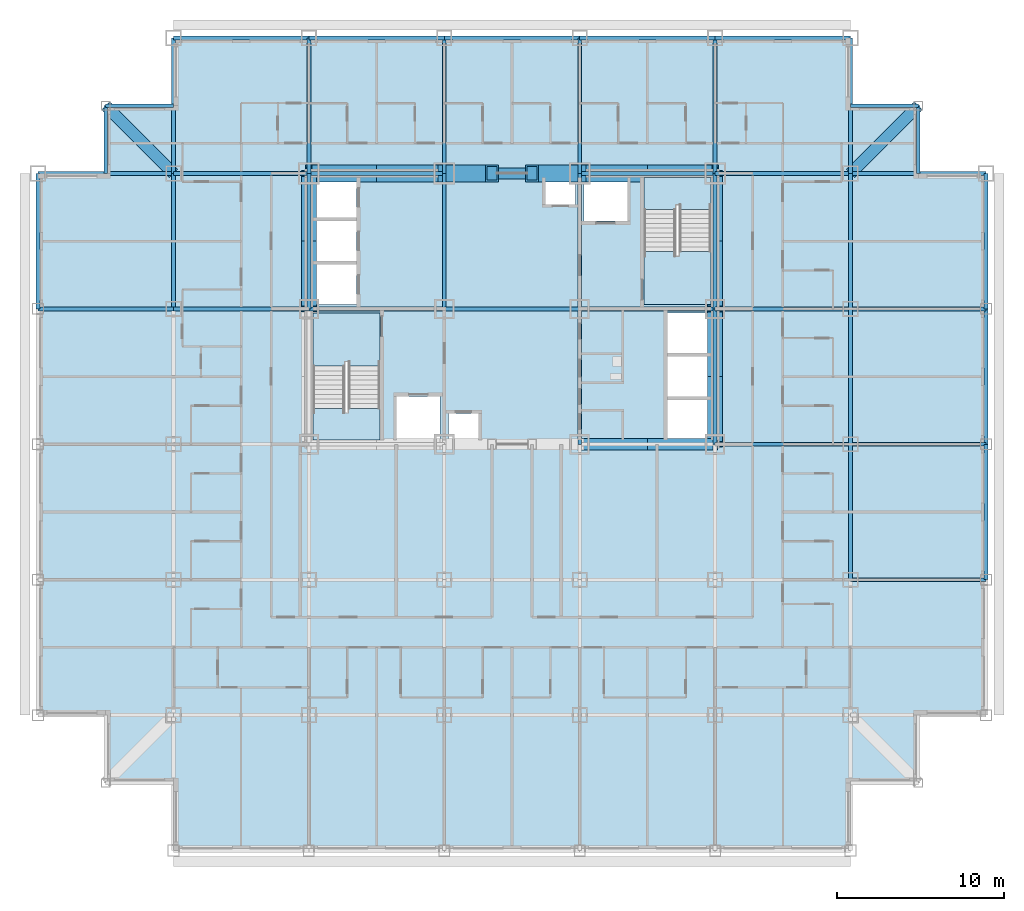
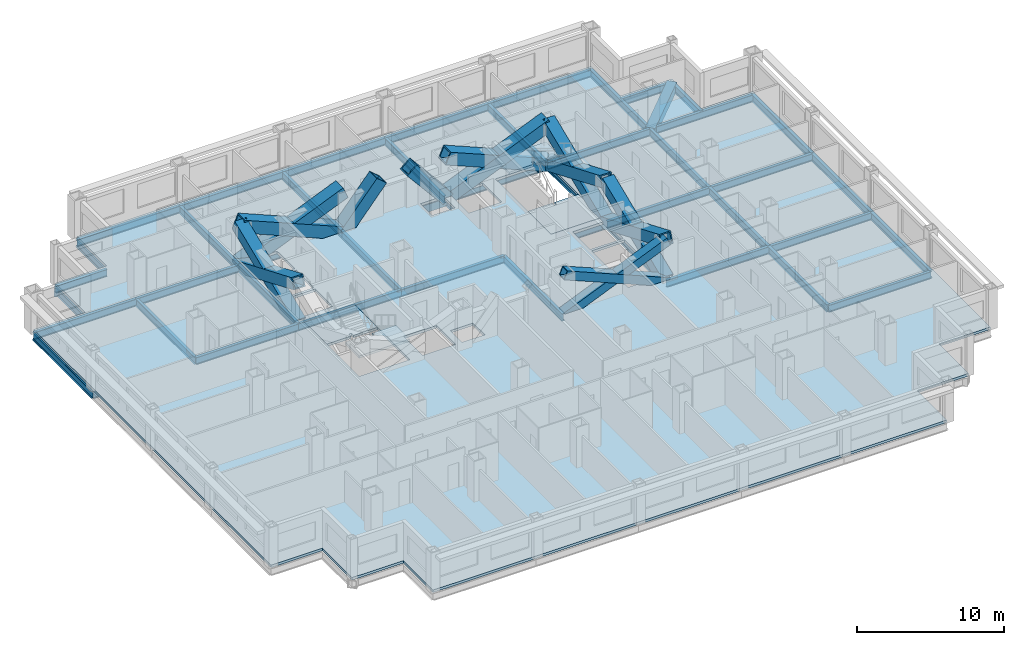
# One storey, part 2 of 12: 48 beams, 14 members, 5 slabs, 2 elements without a shape of their own.
"""IFC4 building model written with IfcOpenShell, lengths in metres."""

from ifc_helpers import new_model, si_unit, direction, frame, origin, origin_2d, place, context, subcontext, project, spatial, polyline, hollow_rectangle, i_section, outline, extrude, material, layer, layer_set, material_profile, profile_set, type_object, element, aggregate, save


model = new_model("IFC4")

# Units and contexts
model_context = context("Model", 3, precision=1e-05, world=origin(), true_north=direction((0.0, 1.0)))
body_context = subcontext(model_context, "Body", "Model", "MODEL_VIEW")
ifc_project = project(units=[si_unit("LENGTHUNIT", "METRE"), si_unit("AREAUNIT", "SQUARE_METRE"), si_unit("VOLUMEUNIT", "CUBIC_METRE"), si_unit("PLANEANGLEUNIT", "RADIAN"), si_unit("MASSUNIT", "GRAM", prefix="KILO")], contexts=[model_context])

# Site, building, storey
site_placement = place(None, origin())
site = spatial("IfcSite", under=ifc_project, at=site_placement, CompositionType="ELEMENT")
building_placement = place(site_placement, origin())
building = spatial("IfcBuilding", under=site, at=building_placement, Name="Kopane Lantern Tower", CompositionType="ELEMENT")
storey_placement = place(building_placement, frame((0.0, 0.0, 53.39990234375)))
storey = spatial("IfcBuildingStorey", under=building, at=storey_placement, Name="L12", CompositionType="ELEMENT", Elevation=53.39990234375)

# Members
ifc_material_1 = material(Name="Steel S355JR", Category="steel")
ifc_material_profile_1 = material_profile(ifc_material_1, hollow_rectangle(XDim=1.0, YDim=1.0, WallThickness=0.10009765625, at=origin_2d()), Name="BOX 1000x1000x100")
ifc_profile_set_1 = profile_set([ifc_material_profile_1], Name="Steel S355JR")
member_type_1 = type_object("IfcMemberType", Name="BRACE BOX 1000x1000x100", PredefinedType="BRACE", material=ifc_profile_set_1)
for number, where, z_axis, x_axis, name in (
    (1, (16.199951171875, 40.5, -0.2099609375), (0.92205908274, 0.0, 0.387049154419), (0.0, 1.0, 0.0), "Core brace L12"),
    (2, (24.300048828125, 40.5, -0.2099609375), (-0.92205908274, 0.0, 0.387049154419), (0.0, -1.0, 0.0), "Core brace L12"),
):
    element("IfcMember", number, at=place(storey_placement, frame(where, z_axis=z_axis, x_axis=x_axis)), inside=storey, type_object=member_type_1, Name=name, PredefinedType="BRACE", context=body_context, shape_type="SweptSolid", body=[
        extrude(hollow_rectangle(XDim=1.0, YDim=1.0, WallThickness=0.10009765625, at=origin_2d()), origin(), (0.0, 0.0, 1.0), 8.784912109375),
    ])
for number, where, z_axis, x_axis, name in (
    (3, (24.300048828125, 40.5, -0.2099609375), (0.642363165114, 0.0, 0.766400394118), (0.0, 1.0, 0.0), "Core brace L12"),
    (4, (32.39990234375, 40.5, -0.2099609375), (-0.642363165114, 0.0, 0.766400394118), (0.0, -1.0, 0.0), "Core brace L12"),
):
    element("IfcMember", number, at=place(storey_placement, frame(where, z_axis=z_axis, x_axis=x_axis)), inside=storey, type_object=member_type_1, Name=name, PredefinedType="BRACE", context=body_context, shape_type="SweptSolid", body=[
        extrude(hollow_rectangle(XDim=1.0, YDim=1.0, WallThickness=0.10009765625, at=origin_2d()), origin(), (0.0, 0.0, 1.0), 4.4365234375),
    ])
for number, where, z_axis, x_axis, name in (
    (5, (32.39990234375, 40.5, -0.2099609375), (0.92205908274, 0.0, 0.387049154419), (0.0, 1.0, 0.0), "Core brace L12"),
    (6, (40.5, 40.5, -0.2099609375), (-0.92205908274, 0.0, 0.387049154419), (0.0, -1.0, 0.0), "Core brace L12"),
):
    element("IfcMember", number, at=place(storey_placement, frame(where, z_axis=z_axis, x_axis=x_axis)), inside=storey, type_object=member_type_1, Name=name, PredefinedType="BRACE", context=body_context, shape_type="SweptSolid", body=[
        extrude(hollow_rectangle(XDim=1.0, YDim=1.0, WallThickness=0.10009765625, at=origin_2d()), origin(), (0.0, 0.0, 1.0), 8.784912109375),
    ])
ifc_material_2 = material(Name="Steel S355JR", Category="steel")
ifc_material_profile_2 = material_profile(ifc_material_2, hollow_rectangle(XDim=0.699951171875, YDim=0.699951171875, WallThickness=0.06005859375, at=origin_2d()), Name="BOX 700x700x60")
ifc_profile_set_2 = profile_set([ifc_material_profile_2], Name="Steel S355JR")
member_type_2 = type_object("IfcMemberType", Name="BRACE BOX 700x700x60", PredefinedType="BRACE", material=ifc_profile_set_2)
for number, where, z_axis, x_axis, name in (
    (7, (32.39990234375, 24.300048828125, -0.2099609375), (0.92205908274, 0.0, 0.387049154419), (0.0, 1.0, 0.0), "Core brace L12"),
    (8, (40.5, 24.300048828125, -0.2099609375), (-0.92205908274, 0.0, 0.387049154419), (0.0, -1.0, 0.0), "Core brace L12"),
):
    element("IfcMember", number, at=place(storey_placement, frame(where, z_axis=z_axis, x_axis=x_axis)), inside=storey, type_object=member_type_2, Name=name, PredefinedType="BRACE", context=body_context, shape_type="SweptSolid", body=[
        extrude(hollow_rectangle(XDim=0.699951171875, YDim=0.699951171875, WallThickness=0.06005859375, at=origin_2d()), origin(), (0.0, 0.0, 1.0), 8.784912109375),
    ])
ifc_material_3 = material(Name="Steel S355JR", Category="steel")
ifc_material_profile_3 = material_profile(ifc_material_3, hollow_rectangle(XDim=0.89990234375, YDim=0.89990234375, WallThickness=0.090087890625, at=origin_2d()), Name="BOX 900x900x90")
ifc_profile_set_3 = profile_set([ifc_material_profile_3], Name="Steel S355JR")
member_type_3 = type_object("IfcMemberType", Name="BRACE BOX 900x900x90", PredefinedType="BRACE", material=ifc_profile_set_3)
for number, where, z_axis, x_axis, name in (
    (9, (16.199951171875, 32.39990234375, -0.2099609375), (0.0, 0.92205908274, 0.387049154419), (-1.0, 0.0, 0.0), "Core brace L12"),
    (10, (16.199951171875, 40.5, -0.2099609375), (0.0, -0.92205908274, 0.387049154419), (1.0, 0.0, 0.0), "Core brace L12"),
):
    element("IfcMember", number, at=place(storey_placement, frame(where, z_axis=z_axis, x_axis=x_axis)), inside=storey, type_object=member_type_3, Name=name, PredefinedType="BRACE", context=body_context, shape_type="SweptSolid", body=[
        extrude(hollow_rectangle(XDim=0.89990234375, YDim=0.89990234375, WallThickness=0.090087890625, at=origin_2d()), origin(), (0.0, 0.0, 1.0), 8.784912109375),
    ])
for number, where, z_axis, x_axis, name in (
    (11, (40.5, 24.300048828125, -0.2099609375), (0.0, 0.92205491925, 0.387059072864), (-1.0, 0.0, 0.0), "Core brace L12"),
    (12, (40.5, 32.39990234375, -0.2099609375), (0.0, -0.92205491925, 0.387059072864), (1.0, 0.0, 0.0), "Core brace L12"),
):
    element("IfcMember", number, at=place(storey_placement, frame(where, z_axis=z_axis, x_axis=x_axis)), inside=storey, type_object=member_type_3, Name=name, PredefinedType="BRACE", context=body_context, shape_type="SweptSolid", body=[
        extrude(hollow_rectangle(XDim=0.89990234375, YDim=0.89990234375, WallThickness=0.090087890625, at=origin_2d()), origin(), (0.0, 0.0, 1.0), 8.78466796875),
    ])
for number, where, z_axis, x_axis, name in (
    (13, (40.5, 32.39990234375, -0.2099609375), (0.0, 0.92205908274, 0.387049154419), (-1.0, 0.0, 0.0), "Core brace L12"),
    (14, (40.5, 40.5, -0.2099609375), (0.0, -0.92205908274, 0.387049154419), (1.0, 0.0, 0.0), "Core brace L12"),
):
    element("IfcMember", number, at=place(storey_placement, frame(where, z_axis=z_axis, x_axis=x_axis)), inside=storey, type_object=member_type_3, Name=name, PredefinedType="BRACE", context=body_context, shape_type="SweptSolid", body=[
        extrude(hollow_rectangle(XDim=0.89990234375, YDim=0.89990234375, WallThickness=0.090087890625, at=origin_2d()), origin(), (0.0, 0.0, 1.0), 8.784912109375),
    ])

# Beams
ifc_material_4 = material(Name="Steel S355JR", Category="steel")
ifc_material_profile_4 = material_profile(ifc_material_4, i_section(OverallWidth=0.22900390625, OverallDepth=0.6123046875, WebThickness=0.011962890625, FlangeThickness=0.01953125, FilletRadius=0.0126953125, at=origin_2d()), Name="UB 610x229x125")
ifc_profile_set_4 = profile_set([ifc_material_profile_4], Name="Steel S355JR")
beam_type_1 = type_object("IfcBeamType", Name="CORE BEAM UB 610x229x125", PredefinedType="BEAM", material=ifc_profile_set_4)
for number, where, z_axis, x_axis, name in (
    (15, (16.199951171875, 32.39990234375, -0.51611328125), (1.0, 0.0, 0.0), (0.0, 1.0, 0.0), "Core Beam L12"),
    (16, (24.300048828125, 32.39990234375, -0.51611328125), (0.0, 1.0, 0.0), (-1.0, 0.0, 0.0), "Core Beam L12"),
):
    element("IfcBeam", number, at=place(storey_placement, frame(where, z_axis=z_axis, x_axis=x_axis)), inside=storey, type_object=beam_type_1, Name=name, PredefinedType="BEAM", context=body_context, shape_type="SweptSolid", body=[
        extrude(i_section(OverallWidth=0.22900390625, OverallDepth=0.6123046875, WebThickness=0.011962890625, FlangeThickness=0.01953125, FilletRadius=0.0126953125, at=origin_2d()), origin(), (0.0, 0.0, 1.0), 8.10009765625),
    ])
for number, where, z_axis, x_axis, name in (
    (17, (24.300048828125, 32.39990234375, -0.51611328125), (1.0, 0.0, 0.0), (0.0, 1.0, 0.0), "Core Beam L12"),
    (18, (32.39990234375, 24.300048828125, -0.51611328125), (0.0, 1.0, 0.0), (-1.0, 0.0, 0.0), "Core Beam L12"),
):
    element("IfcBeam", number, at=place(storey_placement, frame(where, z_axis=z_axis, x_axis=x_axis)), inside=storey, type_object=beam_type_1, Name=name, PredefinedType="BEAM", context=body_context, shape_type="SweptSolid", body=[
        extrude(i_section(OverallWidth=0.22900390625, OverallDepth=0.6123046875, WebThickness=0.011962890625, FlangeThickness=0.01953125, FilletRadius=0.0126953125, at=origin_2d()), origin(), (0.0, 0.0, 1.0), 8.099853515625),
    ])
for number, where, z_axis, x_axis, name in (
    (19, (32.39990234375, 32.39990234375, -0.51611328125), (0.0, 1.0, 0.0), (-1.0, 0.0, 0.0), "Core Beam L12"),
    (20, (32.39990234375, 32.39990234375, -0.51611328125), (1.0, 0.0, 0.0), (0.0, 1.0, 0.0), "Core Beam L12"),
):
    element("IfcBeam", number, at=place(storey_placement, frame(where, z_axis=z_axis, x_axis=x_axis)), inside=storey, type_object=beam_type_1, Name=name, PredefinedType="BEAM", context=body_context, shape_type="SweptSolid", body=[
        extrude(i_section(OverallWidth=0.22900390625, OverallDepth=0.6123046875, WebThickness=0.011962890625, FlangeThickness=0.01953125, FilletRadius=0.0126953125, at=origin_2d()), origin(), (0.0, 0.0, 1.0), 8.10009765625),
    ])
ifc_material_5 = material(Name="Steel S355JR", Category="steel")
ifc_material_profile_5 = material_profile(ifc_material_5, hollow_rectangle(XDim=0.699951171875, YDim=0.699951171875, WallThickness=0.06005859375, at=origin_2d()), Name="BOX 700x700x60")
ifc_profile_set_5 = profile_set([ifc_material_profile_5], Name="Steel S355JR")
beam_type_2 = type_object("IfcBeamType", Name="CORNER TIE BEAM BOX 700x700x60", PredefinedType="BEAM", material=ifc_profile_set_5)
for number, where, z_axis, x_axis, name in (
    (21, (4.050048828125, 44.550048828125, -0.559814453125), (0.707106781187, -0.707106781187, 0.0), (0.707106781187, 0.707106781187, 0.0), "Corner Tie Beam L12"),
    (22, (52.64990234375, 44.550048828125, -0.559814453125), (-0.707085467703, -0.707128094028, 0.0), (0.707128094028, -0.707085467703, 0.0), "Corner Tie Beam L12"),
):
    element("IfcBeam", number, at=place(storey_placement, frame(where, z_axis=z_axis, x_axis=x_axis)), inside=storey, type_object=beam_type_2, Name=name, PredefinedType="BEAM", context=body_context, shape_type="SweptSolid", body=[
        extrude(hollow_rectangle(XDim=0.699951171875, YDim=0.699951171875, WallThickness=0.06005859375, at=origin_2d()), origin(), (0.0, 0.0, 1.0), 5.7275390625),
    ])
ifc_material_6 = material(Name="Steel S355JR", Category="steel")
ifc_material_profile_6 = material_profile(ifc_material_6, i_section(OverallWidth=0.22900390625, OverallDepth=0.6123046875, WebThickness=0.011962890625, FlangeThickness=0.01953125, FilletRadius=0.0126953125, at=origin_2d()), Name="UB 610x229x125")
ifc_profile_set_6 = profile_set([ifc_material_profile_6], Name="Steel S355JR")
beam_type_3 = type_object("IfcBeamType", Name="EDGE BEAM UB 610x229x125", PredefinedType="BEAM", material=ifc_profile_set_6)
for number, where, z_axis, x_axis, name in (
    (23, (4.050048828125, 44.550048828125, -0.51611328125), (0.0, -1.0, 0.0), (1.0, 0.0, 0.0), "Edge Beam L12"),
    (24, (4.050048828125, 44.550048828125, -0.51611328125), (1.0, 0.0, 0.0), (0.0, 1.0, 0.0), "Edge Beam L12"),
):
    element("IfcBeam", number, at=place(storey_placement, frame(where, z_axis=z_axis, x_axis=x_axis)), inside=storey, type_object=beam_type_3, Name=name, PredefinedType="BEAM", context=body_context, shape_type="SweptSolid", body=[
        extrude(i_section(OverallWidth=0.22900390625, OverallDepth=0.6123046875, WebThickness=0.011962890625, FlangeThickness=0.01953125, FilletRadius=0.0126953125, at=origin_2d()), origin(), (0.0, 0.0, 1.0), 4.050048828125),
    ])
beam_1_placement = place(storey_placement, frame((52.64990234375, 44.550048828125, -0.51611328125), z_axis=(-1.0, 0.0, 0.0), x_axis=(0.0, -1.0, 0.0)))
element("IfcBeam", 25, at=beam_1_placement, inside=storey, type_object=beam_type_3, Name="Edge Beam L12", PredefinedType="BEAM", context=body_context, shape_type="SweptSolid", body=[
    extrude(i_section(OverallWidth=0.22900390625, OverallDepth=0.6123046875, WebThickness=0.011962890625, FlangeThickness=0.01953125, FilletRadius=0.0126953125, at=origin_2d()), origin(), (0.0, 0.0, 1.0), 4.0498046875),
])
beam_2_placement = place(storey_placement, frame((52.64990234375, 44.550048828125, -0.51611328125), z_axis=(0.0, -1.0, 0.0), x_axis=(1.0, 0.0, 0.0)))
element("IfcBeam", 26, at=beam_2_placement, inside=storey, type_object=beam_type_3, Name="Edge Beam L12", PredefinedType="BEAM", context=body_context, shape_type="SweptSolid", body=[
    extrude(i_section(OverallWidth=0.22900390625, OverallDepth=0.6123046875, WebThickness=0.011962890625, FlangeThickness=0.01953125, FilletRadius=0.0126953125, at=origin_2d()), origin(), (0.0, 0.0, 1.0), 4.050048828125),
])
ifc_material_7 = material(Name="Steel S355JR", Category="steel")
ifc_material_profile_7 = material_profile(ifc_material_7, i_section(OverallWidth=0.22900390625, OverallDepth=0.6123046875, WebThickness=0.011962890625, FlangeThickness=0.01953125, FilletRadius=0.0126953125, at=origin_2d()), Name="UB 610x229x125")
ifc_profile_set_7 = profile_set([ifc_material_profile_7], Name="Steel S355JR")
beam_type_4 = type_object("IfcBeamType", Name="GIRDER UB 610x229x125", PredefinedType="BEAM", material=ifc_profile_set_7)
for number, where, z_axis, x_axis, name in (
    (27, (0.0, 32.39990234375, -0.51611328125), (0.0, 1.0, 0.0), (-1.0, 0.0, 0.0), "Girder L12"),
    (28, (0.0, 32.39990234375, -0.51611328125), (1.0, 0.0, 0.0), (0.0, 1.0, 0.0), "Girder L12"),
    (29, (0.0, 40.5, -0.51611328125), (1.0, 0.0, 0.0), (0.0, 1.0, 0.0), "Girder L12"),
    (30, (8.10009765625, 32.39990234375, -0.51611328125), (0.0, 1.0, 0.0), (-1.0, 0.0, 0.0), "Girder L12"),
):
    element("IfcBeam", number, at=place(storey_placement, frame(where, z_axis=z_axis, x_axis=x_axis)), inside=storey, type_object=beam_type_4, Name=name, PredefinedType="BEAM", context=body_context, shape_type="SweptSolid", body=[
        extrude(i_section(OverallWidth=0.22900390625, OverallDepth=0.6123046875, WebThickness=0.011962890625, FlangeThickness=0.01953125, FilletRadius=0.0126953125, at=origin_2d()), origin(), (0.0, 0.0, 1.0), 8.10009765625),
    ])
beam_3_placement = place(storey_placement, frame((8.10009765625, 32.39990234375, -0.51611328125), z_axis=(1.0, 0.0, 0.0), x_axis=(0.0, 1.0, 0.0)))
element("IfcBeam", 31, at=beam_3_placement, inside=storey, type_object=beam_type_4, Name="Girder L12", PredefinedType="BEAM", context=body_context, shape_type="SweptSolid", body=[
    extrude(i_section(OverallWidth=0.22900390625, OverallDepth=0.6123046875, WebThickness=0.011962890625, FlangeThickness=0.01953125, FilletRadius=0.0126953125, at=origin_2d()), origin(), (0.0, 0.0, 1.0), 8.099853515625),
])
beam_4_placement = place(storey_placement, frame((8.10009765625, 40.5, -0.51611328125), z_axis=(0.0, 1.0, 0.0), x_axis=(-1.0, 0.0, 0.0)))
element("IfcBeam", 32, at=beam_4_placement, inside=storey, type_object=beam_type_4, Name="Girder L12", PredefinedType="BEAM", context=body_context, shape_type="SweptSolid", body=[
    extrude(i_section(OverallWidth=0.22900390625, OverallDepth=0.6123046875, WebThickness=0.011962890625, FlangeThickness=0.01953125, FilletRadius=0.0126953125, at=origin_2d()), origin(), (0.0, 0.0, 1.0), 8.10009765625),
])
for number, where, z_axis, x_axis, name in (
    (33, (8.10009765625, 40.5, -0.51611328125), (1.0, 0.0, 0.0), (0.0, 1.0, 0.0), "Girder L12"),
    (34, (8.10009765625, 48.60009765625, -0.51611328125), (1.0, 0.0, 0.0), (0.0, 1.0, 0.0), "Girder L12"),
):
    element("IfcBeam", number, at=place(storey_placement, frame(where, z_axis=z_axis, x_axis=x_axis)), inside=storey, type_object=beam_type_4, Name=name, PredefinedType="BEAM", context=body_context, shape_type="SweptSolid", body=[
        extrude(i_section(OverallWidth=0.22900390625, OverallDepth=0.6123046875, WebThickness=0.011962890625, FlangeThickness=0.01953125, FilletRadius=0.0126953125, at=origin_2d()), origin(), (0.0, 0.0, 1.0), 8.099853515625),
    ])
for number, where, z_axis, x_axis, name in (
    (35, (16.199951171875, 32.39990234375, -0.51611328125), (0.0, 1.0, 0.0), (-1.0, 0.0, 0.0), "Girder L12"),
    (36, (16.199951171875, 40.5, -0.51611328125), (0.0, 1.0, 0.0), (-1.0, 0.0, 0.0), "Girder L12"),
    (37, (16.199951171875, 40.5, -0.51611328125), (1.0, 0.0, 0.0), (0.0, 1.0, 0.0), "Girder L12"),
    (38, (16.199951171875, 48.60009765625, -0.51611328125), (1.0, 0.0, 0.0), (0.0, 1.0, 0.0), "Girder L12"),
    (39, (24.300048828125, 40.5, -0.51611328125), (0.0, 1.0, 0.0), (-1.0, 0.0, 0.0), "Girder L12"),
):
    element("IfcBeam", number, at=place(storey_placement, frame(where, z_axis=z_axis, x_axis=x_axis)), inside=storey, type_object=beam_type_4, Name=name, PredefinedType="BEAM", context=body_context, shape_type="SweptSolid", body=[
        extrude(i_section(OverallWidth=0.22900390625, OverallDepth=0.6123046875, WebThickness=0.011962890625, FlangeThickness=0.01953125, FilletRadius=0.0126953125, at=origin_2d()), origin(), (0.0, 0.0, 1.0), 8.10009765625),
    ])
beam_5_placement = place(storey_placement, frame((24.300048828125, 48.60009765625, -0.51611328125), z_axis=(1.0, 0.0, 0.0), x_axis=(0.0, 1.0, 0.0)))
element("IfcBeam", 40, at=beam_5_placement, inside=storey, type_object=beam_type_4, Name="Girder L12", PredefinedType="BEAM", context=body_context, shape_type="SweptSolid", body=[
    extrude(i_section(OverallWidth=0.22900390625, OverallDepth=0.6123046875, WebThickness=0.011962890625, FlangeThickness=0.01953125, FilletRadius=0.0126953125, at=origin_2d()), origin(), (0.0, 0.0, 1.0), 8.099853515625),
])
for number, where, z_axis, x_axis, name in (
    (41, (32.39990234375, 40.5, -0.51611328125), (0.0, 1.0, 0.0), (-1.0, 0.0, 0.0), "Girder L12"),
    (42, (32.39990234375, 40.5, -0.51611328125), (1.0, 0.0, 0.0), (0.0, 1.0, 0.0), "Girder L12"),
    (43, (32.39990234375, 48.60009765625, -0.51611328125), (1.0, 0.0, 0.0), (0.0, 1.0, 0.0), "Girder L12"),
):
    element("IfcBeam", number, at=place(storey_placement, frame(where, z_axis=z_axis, x_axis=x_axis)), inside=storey, type_object=beam_type_4, Name=name, PredefinedType="BEAM", context=body_context, shape_type="SweptSolid", body=[
        extrude(i_section(OverallWidth=0.22900390625, OverallDepth=0.6123046875, WebThickness=0.011962890625, FlangeThickness=0.01953125, FilletRadius=0.0126953125, at=origin_2d()), origin(), (0.0, 0.0, 1.0), 8.10009765625),
    ])
beam_6_placement = place(storey_placement, frame((40.5, 24.300048828125, -0.51611328125), z_axis=(0.0, 1.0, 0.0), x_axis=(-1.0, 0.0, 0.0)))
element("IfcBeam", 44, at=beam_6_placement, inside=storey, type_object=beam_type_4, Name="Girder L12", PredefinedType="BEAM", context=body_context, shape_type="SweptSolid", body=[
    extrude(i_section(OverallWidth=0.22900390625, OverallDepth=0.6123046875, WebThickness=0.011962890625, FlangeThickness=0.01953125, FilletRadius=0.0126953125, at=origin_2d()), origin(), (0.0, 0.0, 1.0), 8.099853515625),
])
for number, where, z_axis, x_axis, name in (
    (45, (40.5, 24.300048828125, -0.51611328125), (1.0, 0.0, 0.0), (0.0, 1.0, 0.0), "Girder L12"),
    (46, (40.5, 32.39990234375, -0.51611328125), (0.0, 1.0, 0.0), (-1.0, 0.0, 0.0), "Girder L12"),
    (47, (40.5, 32.39990234375, -0.51611328125), (1.0, 0.0, 0.0), (0.0, 1.0, 0.0), "Girder L12"),
    (48, (40.5, 40.5, -0.51611328125), (0.0, 1.0, 0.0), (-1.0, 0.0, 0.0), "Girder L12"),
    (49, (40.5, 40.5, -0.51611328125), (1.0, 0.0, 0.0), (0.0, 1.0, 0.0), "Girder L12"),
    (50, (40.5, 48.60009765625, -0.51611328125), (1.0, 0.0, 0.0), (0.0, 1.0, 0.0), "Girder L12"),
    (51, (48.60009765625, 16.199951171875, -0.51611328125), (0.0, 1.0, 0.0), (-1.0, 0.0, 0.0), "Girder L12"),
):
    element("IfcBeam", number, at=place(storey_placement, frame(where, z_axis=z_axis, x_axis=x_axis)), inside=storey, type_object=beam_type_4, Name=name, PredefinedType="BEAM", context=body_context, shape_type="SweptSolid", body=[
        extrude(i_section(OverallWidth=0.22900390625, OverallDepth=0.6123046875, WebThickness=0.011962890625, FlangeThickness=0.01953125, FilletRadius=0.0126953125, at=origin_2d()), origin(), (0.0, 0.0, 1.0), 8.10009765625),
    ])
for number, where, z_axis, x_axis, name in (
    (52, (48.60009765625, 16.199951171875, -0.51611328125), (1.0, 0.0, 0.0), (0.0, 1.0, 0.0), "Girder L12"),
    (53, (48.60009765625, 24.300048828125, -0.51611328125), (0.0, 1.0, 0.0), (-1.0, 0.0, 0.0), "Girder L12"),
    (54, (48.60009765625, 24.300048828125, -0.51611328125), (1.0, 0.0, 0.0), (0.0, 1.0, 0.0), "Girder L12"),
):
    element("IfcBeam", number, at=place(storey_placement, frame(where, z_axis=z_axis, x_axis=x_axis)), inside=storey, type_object=beam_type_4, Name=name, PredefinedType="BEAM", context=body_context, shape_type="SweptSolid", body=[
        extrude(i_section(OverallWidth=0.22900390625, OverallDepth=0.6123046875, WebThickness=0.011962890625, FlangeThickness=0.01953125, FilletRadius=0.0126953125, at=origin_2d()), origin(), (0.0, 0.0, 1.0), 8.099853515625),
    ])
beam_7_placement = place(storey_placement, frame((48.60009765625, 32.39990234375, -0.51611328125), z_axis=(0.0, 1.0, 0.0), x_axis=(-1.0, 0.0, 0.0)))
element("IfcBeam", 55, at=beam_7_placement, inside=storey, type_object=beam_type_4, Name="Girder L12", PredefinedType="BEAM", context=body_context, shape_type="SweptSolid", body=[
    extrude(i_section(OverallWidth=0.22900390625, OverallDepth=0.6123046875, WebThickness=0.011962890625, FlangeThickness=0.01953125, FilletRadius=0.0126953125, at=origin_2d()), origin(), (0.0, 0.0, 1.0), 8.10009765625),
])
beam_8_placement = place(storey_placement, frame((48.60009765625, 32.39990234375, -0.51611328125), z_axis=(1.0, 0.0, 0.0), x_axis=(0.0, 1.0, 0.0)))
element("IfcBeam", 56, at=beam_8_placement, inside=storey, type_object=beam_type_4, Name="Girder L12", PredefinedType="BEAM", context=body_context, shape_type="SweptSolid", body=[
    extrude(i_section(OverallWidth=0.22900390625, OverallDepth=0.6123046875, WebThickness=0.011962890625, FlangeThickness=0.01953125, FilletRadius=0.0126953125, at=origin_2d()), origin(), (0.0, 0.0, 1.0), 8.099853515625),
])
beam_9_placement = place(storey_placement, frame((48.60009765625, 40.5, -0.51611328125), z_axis=(0.0, 1.0, 0.0), x_axis=(-1.0, 0.0, 0.0)))
element("IfcBeam", 57, at=beam_9_placement, inside=storey, type_object=beam_type_4, Name="Girder L12", PredefinedType="BEAM", context=body_context, shape_type="SweptSolid", body=[
    extrude(i_section(OverallWidth=0.22900390625, OverallDepth=0.6123046875, WebThickness=0.011962890625, FlangeThickness=0.01953125, FilletRadius=0.0126953125, at=origin_2d()), origin(), (0.0, 0.0, 1.0), 8.10009765625),
])
beam_10_placement = place(storey_placement, frame((48.60009765625, 40.5, -0.51611328125), z_axis=(1.0, 0.0, 0.0), x_axis=(0.0, 1.0, 0.0)))
element("IfcBeam", 58, at=beam_10_placement, inside=storey, type_object=beam_type_4, Name="Girder L12", PredefinedType="BEAM", context=body_context, shape_type="SweptSolid", body=[
    extrude(i_section(OverallWidth=0.22900390625, OverallDepth=0.6123046875, WebThickness=0.011962890625, FlangeThickness=0.01953125, FilletRadius=0.0126953125, at=origin_2d()), origin(), (0.0, 0.0, 1.0), 8.099853515625),
])
beam_11_placement = place(storey_placement, frame((56.699951171875, 16.199951171875, -0.51611328125), z_axis=(0.0, 1.0, 0.0), x_axis=(-1.0, 0.0, 0.0)))
element("IfcBeam", 59, at=beam_11_placement, inside=storey, type_object=beam_type_4, Name="Girder L12", PredefinedType="BEAM", context=body_context, shape_type="SweptSolid", body=[
    extrude(i_section(OverallWidth=0.22900390625, OverallDepth=0.6123046875, WebThickness=0.011962890625, FlangeThickness=0.01953125, FilletRadius=0.0126953125, at=origin_2d()), origin(), (0.0, 0.0, 1.0), 8.10009765625),
])
beam_12_placement = place(storey_placement, frame((56.699951171875, 24.300048828125, -0.51611328125), z_axis=(0.0, 1.0, 0.0), x_axis=(-1.0, 0.0, 0.0)))
element("IfcBeam", 60, at=beam_12_placement, inside=storey, type_object=beam_type_4, Name="Girder L12", PredefinedType="BEAM", context=body_context, shape_type="SweptSolid", body=[
    extrude(i_section(OverallWidth=0.22900390625, OverallDepth=0.6123046875, WebThickness=0.011962890625, FlangeThickness=0.01953125, FilletRadius=0.0126953125, at=origin_2d()), origin(), (0.0, 0.0, 1.0), 8.099853515625),
])
beam_13_placement = place(storey_placement, frame((56.699951171875, 32.39990234375, -0.51611328125), z_axis=(0.0, 1.0, 0.0), x_axis=(-1.0, 0.0, 0.0)))
element("IfcBeam", 61, at=beam_13_placement, inside=storey, type_object=beam_type_4, Name="Girder L12", PredefinedType="BEAM", context=body_context, shape_type="SweptSolid", body=[
    extrude(i_section(OverallWidth=0.22900390625, OverallDepth=0.6123046875, WebThickness=0.011962890625, FlangeThickness=0.01953125, FilletRadius=0.0126953125, at=origin_2d()), origin(), (0.0, 0.0, 1.0), 8.10009765625),
])
ifc_material_8 = material(Name="Steel S355JR", Category="steel")
ifc_material_profile_8 = material_profile(ifc_material_8, hollow_rectangle(XDim=0.64990234375, YDim=0.64990234375, WallThickness=0.070068359375, at=origin_2d()), Name="BOX 650x650x70")
ifc_profile_set_8 = profile_set([ifc_material_profile_8], Name="Steel S355JR")
beam_type_5 = type_object("IfcBeamType", Name="LINK BEAM BOX 650x650x70", PredefinedType="BEAM", material=ifc_profile_set_8)
beam_14_placement = place(storey_placement, frame((24.300048828125, 40.5, -0.534912109375), z_axis=(1.0, 0.0, 0.0), x_axis=(0.0, 1.0, 0.0)))
element("IfcBeam", 62, at=beam_14_placement, inside=storey, type_object=beam_type_5, Name="Link Beam L12", PredefinedType="BEAM", context=body_context, shape_type="SweptSolid", body=[
    extrude(hollow_rectangle(XDim=0.64990234375, YDim=0.64990234375, WallThickness=0.070068359375, at=origin_2d()), origin(), (0.0, 0.0, 1.0), 8.099853515625),
])

# Slab
ifc_material_9 = material(Name="Concrete C40/50", Category="concrete")
ifc_layer_1 = layer(ifc_material_9, 0.2099609375)
ifc_layer_set_1 = layer_set([ifc_layer_1], Name="SLAB 210 COMPOSITE")
slab_type_1 = type_object("IfcSlabType", Name="SLAB 210 COMPOSITE", PredefinedType="FLOOR", material=ifc_layer_set_1)
slab_1_placement = place(storey_placement, frame((0.0, 0.0, -0.2099609375)))
element("IfcSlab", 63, at=slab_1_placement, inside=storey, type_object=slab_type_1, Name="Floor slab L12", PredefinedType="FLOOR", context=body_context, shape_type="SweptSolid", body=[
    extrude(outline(polyline([(8.10009765625, 0.0), (48.60009765625, 0.0), (48.60009765625, 4.050048828125), (52.64990234375, 4.050048828125), (52.64990234375, 8.10009765625), (56.699951171875, 8.10009765625), (56.699951171875, 40.5), (52.64990234375, 40.5), (52.64990234375, 44.550048828125), (48.60009765625, 44.550048828125), (48.60009765625, 48.60009765625), (8.10009765625, 48.60009765625), (8.10009765625, 44.550048828125), (4.050048828125, 44.550048828125), (4.050048828125, 40.5), (0.0, 40.5), (0.0, 8.10009765625), (4.050048828125, 8.10009765625), (4.050048828125, 4.050048828125), (8.10009765625, 4.050048828125), (8.10009765625, 0.0)]), holes=[polyline([(16.449951171875, 24.550048828125), (20.449951171875, 24.550048828125), (20.449951171875, 32.14990234375), (16.449951171875, 32.14990234375), (16.449951171875, 24.550048828125)]), polyline([(36.25, 32.64990234375), (40.25, 32.64990234375), (40.25, 40.25), (36.25, 40.25), (36.25, 32.64990234375)]), polyline([(16.449951171875, 32.64990234375), (19.050048828125, 32.64990234375), (19.050048828125, 35.050048828125), (16.449951171875, 35.050048828125), (16.449951171875, 32.64990234375)]), polyline([(16.449951171875, 35.25), (19.050048828125, 35.25), (19.050048828125, 37.64990234375), (16.449951171875, 37.64990234375), (16.449951171875, 35.25)]), polyline([(16.449951171875, 37.85009765625), (19.050048828125, 37.85009765625), (19.050048828125, 40.25), (16.449951171875, 40.25), (16.449951171875, 37.85009765625)]), polyline([(37.64990234375, 24.550048828125), (40.25, 24.550048828125), (40.25, 26.949951171875), (37.64990234375, 26.949951171875), (37.64990234375, 24.550048828125)]), polyline([(37.64990234375, 27.14990234375), (40.25, 27.14990234375), (40.25, 29.550048828125), (37.64990234375, 29.550048828125), (37.64990234375, 27.14990234375)]), polyline([(37.64990234375, 29.75), (40.25, 29.75), (40.25, 32.14990234375), (37.64990234375, 32.14990234375), (37.64990234375, 29.75)]), polyline([(21.449951171875, 24.550048828125), (24.050048828125, 24.550048828125), (24.050048828125, 27.14990234375), (21.449951171875, 27.14990234375), (21.449951171875, 24.550048828125)]), polyline([(32.64990234375, 37.64990234375), (35.25, 37.64990234375), (35.25, 40.25), (32.64990234375, 40.25), (32.64990234375, 37.64990234375)]), polyline([(24.550048828125, 24.550048828125), (26.35009765625, 24.550048828125), (26.35009765625, 26.14990234375), (24.550048828125, 26.14990234375), (24.550048828125, 24.550048828125)]), polyline([(30.35009765625, 38.64990234375), (32.14990234375, 38.64990234375), (32.14990234375, 40.25), (30.35009765625, 40.25), (30.35009765625, 38.64990234375)])]), origin(), (0.0, 0.0, 1.0), 0.2099609375),
])

# Stair, slabs
ifc_material_10 = material(Name="Steel S355JR", Category="steel")
stair_type = type_object("IfcStairType", Name="EXIT STAIR 1900 HALF TURN", PredefinedType="HALF_TURN_STAIR", material=ifc_material_10)
stair_1_placement = place(storey_placement, origin())
stair_1 = element("IfcStair", 64, at=stair_1_placement, inside=storey, type_object=stair_type, Name="Exit stair ST1 L12", PredefinedType="HALF_TURN_STAIR")
ifc_material_11 = material(Name="Concrete C40/50", Category="concrete")
ifc_layer_2 = layer(ifc_material_11, 0.199951171875)
ifc_layer_set_2 = layer_set([ifc_layer_2], Name="STAIR LANDING 200")
slab_type_2 = type_object("IfcSlabType", Name="STAIR LANDING 200", PredefinedType="LANDING", material=ifc_layer_set_2)
slab_2_placement = place(storey_placement, frame((0.0, 0.0, -0.199951171875)))
slab_2 = element("IfcSlab", 65, at=slab_2_placement, type_object=slab_type_2, Name="ST1 landing 1", PredefinedType="LANDING", context=body_context, shape_type="SweptSolid", body=[
    extrude(outline(polyline([(18.35009765625, 29.25), (18.550048828125, 29.25), (18.550048828125, 28.969970703125), (20.449951171875, 28.969970703125), (20.449951171875, 32.14990234375), (16.449951171875, 32.14990234375), (16.449951171875, 28.969970703125), (18.35009765625, 28.969970703125), (18.35009765625, 29.25)])), origin(), (0.0, 0.0, 1.0), 0.199951171875),
])
slab_3_placement = place(storey_placement, frame((0.0, 0.0, 1.5)))
slab_3 = element("IfcSlab", 66, at=slab_3_placement, type_object=slab_type_2, Name="ST1 landing 2", PredefinedType="LANDING", context=body_context, shape_type="SweptSolid", body=[
    extrude(outline(polyline([(20.449951171875, 26.449951171875), (18.550048828125, 26.449951171875), (18.550048828125, 26.169921875), (18.35009765625, 26.169921875), (18.35009765625, 26.449951171875), (16.449951171875, 26.449951171875), (16.449951171875, 24.550048828125), (20.449951171875, 24.550048828125), (20.449951171875, 26.449951171875)])), origin(), (0.0, 0.0, 1.0), 0.2001953125),
])
aggregate(stair_1, [slab_2, slab_3])

stair_2_placement = place(storey_placement, origin())
stair_2 = element("IfcStair", 67, at=stair_2_placement, inside=storey, type_object=stair_type, Name="Exit stair ST2 L12", PredefinedType="HALF_TURN_STAIR")
slab_4_placement = place(storey_placement, frame((0.0, 0.0, -0.199951171875)))
slab_4 = element("IfcSlab", 68, at=slab_4_placement, type_object=slab_type_2, Name="ST2 landing 1", PredefinedType="LANDING", context=body_context, shape_type="SweptSolid", body=[
    extrude(outline(polyline([(40.25, 35.830078125), (38.35009765625, 35.830078125), (38.35009765625, 35.550048828125), (38.14990234375, 35.550048828125), (38.14990234375, 35.830078125), (36.25, 35.830078125), (36.25, 32.64990234375), (40.25, 32.64990234375), (40.25, 35.830078125)])), origin(), (0.0, 0.0, 1.0), 0.199951171875),
])
slab_5_placement = place(storey_placement, frame((0.0, 0.0, 1.5)))
slab_5 = element("IfcSlab", 69, at=slab_5_placement, type_object=slab_type_2, Name="ST2 landing 2", PredefinedType="LANDING", context=body_context, shape_type="SweptSolid", body=[
    extrude(outline(polyline([(38.14990234375, 38.6298828125), (38.35009765625, 38.6298828125), (38.35009765625, 38.35009765625), (40.25, 38.35009765625), (40.25, 40.25), (36.25, 40.25), (36.25, 38.35009765625), (38.14990234375, 38.35009765625), (38.14990234375, 38.6298828125)])), origin(), (0.0, 0.0, 1.0), 0.2001953125),
])
aggregate(stair_2, [slab_4, slab_5])

save(model, "model.ifc")
